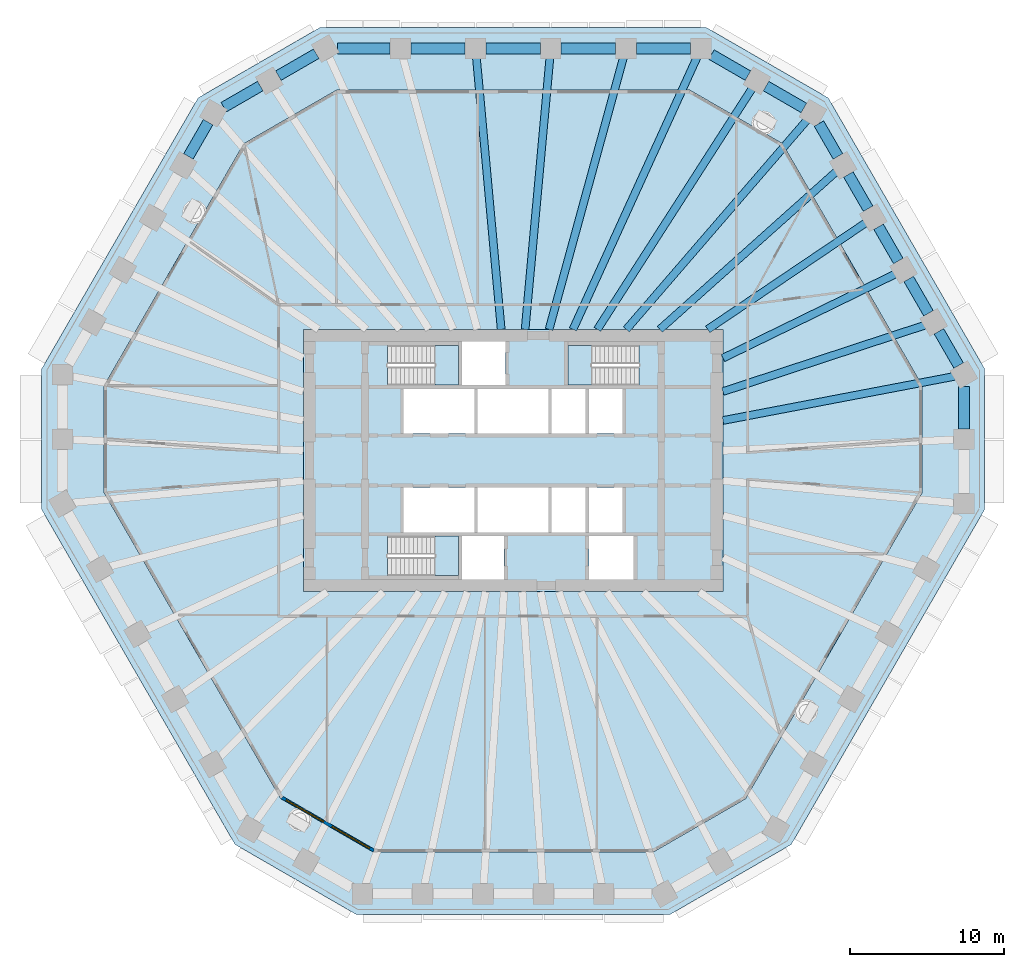
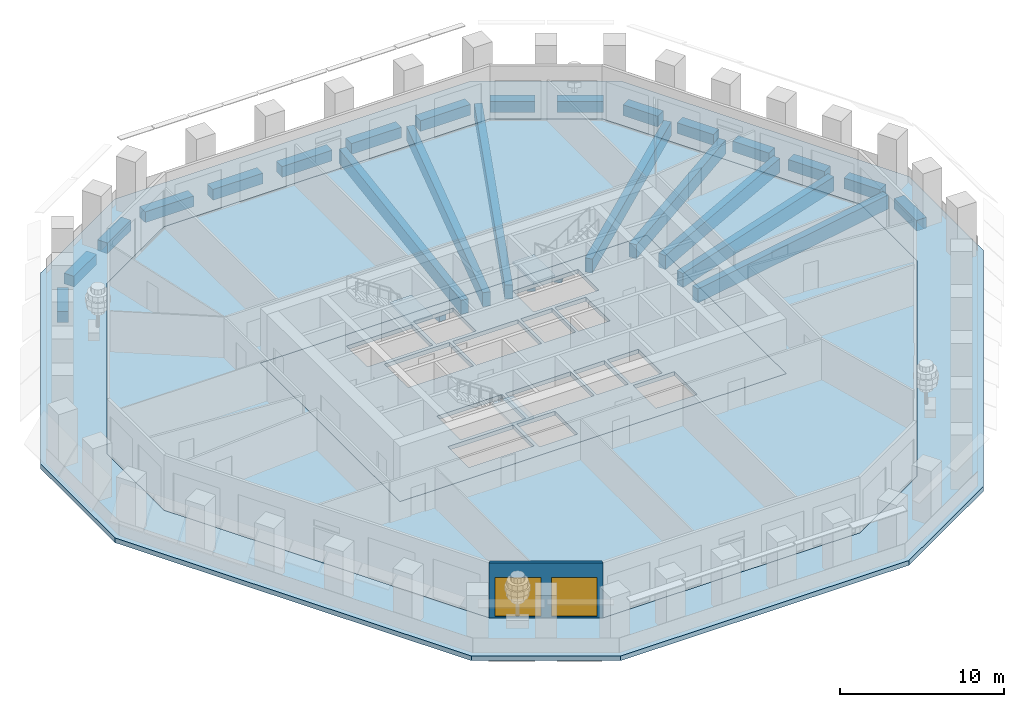
# One storey, part 2 of 12: 27 beams, 6 slabs, 2 windows, 1 wall, 2 openings, 3 elements without a shape of their own.
"""IFC4 building model written with IfcOpenShell, lengths in metres."""

from ifc_helpers import new_model, si_unit, direction, frame, frame_2d, origin, origin_2d, place, context, subcontext, project, spatial, polyline, rectangle, outline, extrude, material, layer, layer_set, material_profile, profile_set, type_object, element, fill, aggregate, save


model = new_model("IFC4")

# Units and contexts
model_context = context("Model", 3, precision=1e-05, world=origin(), true_north=direction((0.0, 1.0)))
body_context = subcontext(model_context, "Body", "Model", "MODEL_VIEW")
ifc_project = project(units=[si_unit("LENGTHUNIT", "METRE"), si_unit("AREAUNIT", "SQUARE_METRE"), si_unit("VOLUMEUNIT", "CUBIC_METRE"), si_unit("PLANEANGLEUNIT", "RADIAN"), si_unit("MASSUNIT", "GRAM", prefix="KILO")], contexts=[model_context])

# Site, building, storey
site_placement = place(None, origin())
site = spatial("IfcSite", under=ifc_project, at=site_placement, CompositionType="ELEMENT")
building_placement = place(site_placement, origin())
building = spatial("IfcBuilding", under=site, at=building_placement, Name="Frailejon Research Tower", CompositionType="ELEMENT")
storey_placement = place(building_placement, frame((0.0, 0.0, 130.800048828125)))
storey = spatial("IfcBuildingStorey", under=building, at=storey_placement, Name="L28", CompositionType="ELEMENT", Elevation=130.800048828125)

# Beams
ifc_material_1 = material(Name="Concrete C60/75", Category="concrete")
ifc_material_profile_1 = material_profile(ifc_material_1, rectangle(XDim=0.5, YDim=1.050048828125, at=origin_2d()), Name="Girder 500x1050")
ifc_profile_set_1 = profile_set([ifc_material_profile_1], Name="Concrete C60/75")
beam_type_1 = type_object("IfcBeamType", Name="Girder 500x1050", PredefinedType="BEAM", material=ifc_profile_set_1)
beam_1_placement = place(storey_placement, frame((28.65625, 5.464599609375, -0.824951171875), z_axis=(-0.982299508461, -0.187317045881, 0.0), x_axis=(0.187317045881, -0.982299508461, 0.0)))
element("IfcBeam", 1, at=beam_1_placement, inside=storey, type_object=beam_type_1, Name="Girder 500x1050", PredefinedType="BEAM", context=body_context, shape_type="SweptSolid", body=[
    extrude(rectangle(XDim=0.5, YDim=1.050048828125, at=origin_2d()), origin(), (0.0, 0.0, 1.0), 15.327392578125),
])
beam_2_placement = place(storey_placement, frame((26.7421875, 8.790283203125, -0.824951171875), z_axis=(-0.949989871685, -0.312280712975, 0.0), x_axis=(0.312280712975, -0.949989871685, 0.0)))
element("IfcBeam", 2, at=beam_2_placement, inside=storey, type_object=beam_type_1, Name="Girder 500x1050", PredefinedType="BEAM", context=body_context, shape_type="SweptSolid", body=[
    extrude(rectangle(XDim=0.5, YDim=1.050048828125, at=origin_2d()), origin(), (0.0, 0.0, 1.0), 13.833984375),
])
beam_3_placement = place(storey_placement, frame((24.8251953125, 12.1162109375, -0.824951171875), z_axis=(-0.898678258454, -0.438608467522, 0.0), x_axis=(0.438608467522, -0.898678258454, 0.0)))
element("IfcBeam", 3, at=beam_3_placement, inside=storey, type_object=beam_type_1, Name="Girder 500x1050", PredefinedType="BEAM", context=body_context, shape_type="SweptSolid", body=[
    extrude(rectangle(XDim=0.5, YDim=1.050048828125, at=origin_2d()), origin(), (0.0, 0.0, 1.0), 12.49072265625),
])
beam_4_placement = place(storey_placement, frame((22.905517578125, 15.441162109375, -0.824951171875), z_axis=(-0.829186990789, -0.558971317964, 0.0), x_axis=(0.558971317964, -0.829186990789, 0.0)))
element("IfcBeam", 4, at=beam_4_placement, inside=storey, type_object=beam_type_1, Name="Girder 500x1050", PredefinedType="BEAM", context=body_context, shape_type="SweptSolid", body=[
    extrude(rectangle(XDim=0.5, YDim=1.050048828125, at=origin_2d()), origin(), (0.0, 0.0, 1.0), 12.417724609375),
])
beam_5_placement = place(storey_placement, frame((20.983642578125, 18.764404296875, -0.824951171875), z_axis=(-0.745422911023, -0.666591841926, 0.0), x_axis=(0.666591841926, -0.745422911023, 0.0)))
element("IfcBeam", 5, at=beam_5_placement, inside=storey, type_object=beam_type_1, Name="Girder 500x1050", PredefinedType="BEAM", context=body_context, shape_type="SweptSolid", body=[
    extrude(rectangle(XDim=0.5, YDim=1.050048828125, at=origin_2d()), origin(), (0.0, 0.0, 1.0), 15.3984375),
])
beam_6_placement = place(storey_placement, frame((19.07861328125, 22.105712890625, -0.824951171875), z_axis=(-0.65337403375, -0.757035251505, 0.0), x_axis=(0.757035251505, -0.65337403375, 0.0)))
element("IfcBeam", 6, at=beam_6_placement, inside=storey, type_object=beam_type_1, Name="Girder 500x1050", PredefinedType="BEAM", context=body_context, shape_type="SweptSolid", body=[
    extrude(rectangle(XDim=0.5, YDim=1.050048828125, at=origin_2d()), origin(), (0.0, 0.0, 1.0), 17.972412109375),
])
beam_7_placement = place(storey_placement, frame((15.51904296875, 24.163818359375, -0.824951171875), z_axis=(-0.540394975615, -0.84141147504, 0.0), x_axis=(0.84141147504, -0.540394975615, 0.0)))
element("IfcBeam", 7, at=beam_7_placement, inside=storey, type_object=beam_type_1, Name="Girder 500x1050", PredefinedType="BEAM", context=body_context, shape_type="SweptSolid", body=[
    extrude(rectangle(XDim=0.5, YDim=1.050048828125, at=origin_2d()), origin(), (0.0, 0.0, 1.0), 18.6162109375),
])
beam_8_placement = place(storey_placement, frame((11.930908203125, 26.16162109375, -0.824951171875), z_axis=(-0.41493120596, -0.90985278717, 0.0), x_axis=(0.90985278717, -0.41493120596, 0.0)))
element("IfcBeam", 8, at=beam_8_placement, inside=storey, type_object=beam_type_1, Name="Girder 500x1050", PredefinedType="BEAM", context=body_context, shape_type="SweptSolid", body=[
    extrude(rectangle(XDim=0.5, YDim=1.050048828125, at=origin_2d()), origin(), (0.0, 0.0, 1.0), 19.41162109375),
])
beam_9_placement = place(storey_placement, frame((7.160888671875, 26.169677734375, -0.824951171875), z_axis=(-0.263940506276, -0.964538961964, 0.0), x_axis=(0.964538961964, -0.263940506276, 0.0)))
element("IfcBeam", 9, at=beam_9_placement, inside=storey, type_object=beam_type_1, Name="Girder 500x1050", PredefinedType="BEAM", context=body_context, shape_type="SweptSolid", body=[
    extrude(rectangle(XDim=0.5, YDim=1.050048828125, at=origin_2d()), origin(), (0.0, 0.0, 1.0), 18.3193359375),
])
for number, where, z_axis, x_axis, name in (
    (10, (2.387451171875, 26.17431640625, -0.824951171875), (-0.090832176828, -0.995866213732, 0.0), (0.995866213732, -0.090832176828, 0.0), "Girder 500x1050"),
    (11, (-2.387451171875, 26.17431640625, -0.824951171875), (0.090832176828, -0.995866213732, 0.0), (0.995866213732, 0.090832176828, 0.0), "Girder 500x1050"),
):
    element("IfcBeam", number, at=place(storey_placement, frame(where, z_axis=z_axis, x_axis=x_axis)), inside=storey, type_object=beam_type_1, Name=name, PredefinedType="BEAM", context=body_context, shape_type="SweptSolid", body=[
        extrude(rectangle(XDim=0.5, YDim=1.050048828125, at=origin_2d()), origin(), (0.0, 0.0, 1.0), 17.747802734375),
    ])
ifc_material_2 = material(Name="Concrete C60/75", Category="concrete")
ifc_material_profile_2 = material_profile(ifc_material_2, rectangle(XDim=0.699951171875, YDim=0.800048828125, at=origin_2d()), Name="Spandrel 700x800")
ifc_profile_set_2 = profile_set([ifc_material_profile_2], Name="Concrete C60/75")
beam_type_2 = type_object("IfcBeamType", Name="Spandrel 700x800", PredefinedType="BEAM", material=ifc_profile_set_2)
beam_10_placement = place(storey_placement, frame((29.211181640625, 2.057861328125, -0.75), z_axis=(0.0, 1.0, 0.0), x_axis=(-1.0, 0.0, 0.0)))
element("IfcBeam", 12, at=beam_10_placement, inside=storey, type_object=beam_type_2, Name="Spandrel 700x800", PredefinedType="BEAM", context=body_context, shape_type="SweptSolid", body=[
    extrude(rectangle(XDim=0.699951171875, YDim=0.800048828125, at=origin_2d()), origin(), (0.0, 0.0, 1.0), 2.733154296875),
])
beam_11_placement = place(storey_placement, frame((28.87353515625, 6.15478515625, -0.75), z_axis=(-0.499991857942, 0.866030104553, 0.0), x_axis=(-0.866030104553, -0.499991857942, 0.0)))
element("IfcBeam", 13, at=beam_11_placement, inside=storey, type_object=beam_type_2, Name="Spandrel 700x800", PredefinedType="BEAM", context=body_context, shape_type="SweptSolid", body=[
    extrude(rectangle(XDim=0.699951171875, YDim=0.800048828125, at=origin_2d()), origin(), (0.0, 0.0, 1.0), 2.5625),
])
beam_12_placement = place(storey_placement, frame((26.917236328125, 9.543212890625, -0.75), z_axis=(-0.499950606877, 0.866053919039, 0.0), x_axis=(-0.866053919039, -0.499950606877, 0.0)))
element("IfcBeam", 14, at=beam_12_placement, inside=storey, type_object=beam_type_2, Name="Spandrel 700x800", PredefinedType="BEAM", context=body_context, shape_type="SweptSolid", body=[
    extrude(rectangle(XDim=0.699951171875, YDim=0.800048828125, at=origin_2d()), origin(), (0.0, 0.0, 1.0), 2.562744140625),
])
for number, where, z_axis, x_axis, name in (
    (15, (24.9609375, 12.931884765625, -0.75), (-0.50003311468, 0.866006284171, 0.0), (-0.866006284171, -0.50003311468, 0.0), "Spandrel 700x800"),
    (16, (23.004638671875, 16.3203125, -0.75), (-0.50003311468, 0.866006284171, 0.0), (-0.866006284171, -0.50003311468, 0.0), "Spandrel 700x800"),
):
    element("IfcBeam", number, at=place(storey_placement, frame(where, z_axis=z_axis, x_axis=x_axis)), inside=storey, type_object=beam_type_2, Name=name, PredefinedType="BEAM", context=body_context, shape_type="SweptSolid", body=[
        extrude(rectangle(XDim=0.699951171875, YDim=0.800048828125, at=origin_2d()), origin(), (0.0, 0.0, 1.0), 2.562255859375),
    ])
beam_13_placement = place(storey_placement, frame((21.04833984375, 19.70849609375, -0.75), z_axis=(-0.499963176624, 0.866046662726, 0.0), x_axis=(-0.866046662726, -0.499963176624, 0.0)))
element("IfcBeam", 17, at=beam_13_placement, inside=storey, type_object=beam_type_2, Name="Spandrel 700x800", PredefinedType="BEAM", context=body_context, shape_type="SweptSolid", body=[
    extrude(rectangle(XDim=0.699951171875, YDim=0.800048828125, at=origin_2d()), origin(), (0.0, 0.0, 1.0), 2.458251953125),
])
beam_14_placement = place(storey_placement, frame((18.844970703125, 22.849853515625, -0.75), z_axis=(-0.865989280058, 0.500062562911, 0.0), x_axis=(-0.500062562911, -0.865989280058, 0.0)))
element("IfcBeam", 18, at=beam_14_placement, inside=storey, type_object=beam_type_2, Name="Spandrel 700x800", PredefinedType="BEAM", context=body_context, shape_type="SweptSolid", body=[
    extrude(rectangle(XDim=0.699951171875, YDim=0.800048828125, at=origin_2d()), origin(), (0.0, 0.0, 1.0), 2.837646484375),
])
beam_15_placement = place(storey_placement, frame((15.218505859375, 24.943603515625, -0.75), z_axis=(-0.866002615699, 0.500039468044, 0.0), x_axis=(-0.500039468044, -0.866002615699, 0.0)))
element("IfcBeam", 19, at=beam_15_placement, inside=storey, type_object=beam_type_2, Name="Spandrel 700x800", PredefinedType="BEAM", context=body_context, shape_type="SweptSolid", body=[
    extrude(rectangle(XDim=0.699951171875, YDim=0.800048828125, at=origin_2d()), origin(), (0.0, 0.0, 1.0), 2.733154296875),
])
for number, where, z_axis, x_axis, name in (
    (20, (11.50146484375, 26.699951171875, -0.75), (-1.0, 0.0, 0.0), (0.0, -1.0, 0.0), "Spandrel 700x800"),
    (21, (6.630859375, 26.699951171875, -0.75), (-1.0, 0.0, 0.0), (0.0, -1.0, 0.0), "Spandrel 700x800"),
    (22, (1.76025390625, 26.699951171875, -0.75), (-1.0, 0.0, 0.0), (0.0, -1.0, 0.0), "Spandrel 700x800"),
    (23, (-3.1103515625, 26.699951171875, -0.75), (-1.0, 0.0, 0.0), (0.0, -1.0, 0.0), "Spandrel 700x800"),
):
    element("IfcBeam", number, at=place(storey_placement, frame(where, z_axis=z_axis, x_axis=x_axis)), inside=storey, type_object=beam_type_2, Name=name, PredefinedType="BEAM", context=body_context, shape_type="SweptSolid", body=[
        extrude(rectangle(XDim=0.699951171875, YDim=0.800048828125, at=origin_2d()), origin(), (0.0, 0.0, 1.0), 3.5205078125),
    ])
beam_16_placement = place(storey_placement, frame((-7.98095703125, 26.699951171875, -0.75), z_axis=(-1.0, 0.0, 0.0), x_axis=(0.0, -1.0, 0.0)))
element("IfcBeam", 24, at=beam_16_placement, inside=storey, type_object=beam_type_2, Name="Spandrel 700x800", PredefinedType="BEAM", context=body_context, shape_type="SweptSolid", body=[
    extrude(rectangle(XDim=0.699951171875, YDim=0.800048828125, at=origin_2d()), origin(), (0.0, 0.0, 1.0), 3.416259765625),
])
beam_17_placement = place(storey_placement, frame((-12.760986328125, 26.362548828125, -0.75), z_axis=(-0.866010792954, -0.500025305846, 0.0), x_axis=(0.500025305846, -0.866010792954, 0.0)))
element("IfcBeam", 25, at=beam_17_placement, inside=storey, type_object=beam_type_2, Name="Spandrel 700x800", PredefinedType="BEAM", context=body_context, shape_type="SweptSolid", body=[
    extrude(rectangle(XDim=0.699951171875, YDim=0.800048828125, at=origin_2d()), origin(), (0.0, 0.0, 1.0), 2.837646484375),
])
beam_18_placement = place(storey_placement, frame((-16.3876953125, 24.268798828125, -0.75), z_axis=(-0.866002615699, -0.500039468044, 0.0), x_axis=(0.500039468044, -0.866002615699, 0.0)))
element("IfcBeam", 26, at=beam_18_placement, inside=storey, type_object=beam_type_2, Name="Spandrel 700x800", PredefinedType="BEAM", context=body_context, shape_type="SweptSolid", body=[
    extrude(rectangle(XDim=0.699951171875, YDim=0.800048828125, at=origin_2d()), origin(), (0.0, 0.0, 1.0), 2.733154296875),
])
beam_19_placement = place(storey_placement, frame((-19.76708984375, 21.927734375, -0.75), z_axis=(-0.499991857942, -0.866030104553, 0.0), x_axis=(0.866030104553, -0.499991857942, 0.0)))
element("IfcBeam", 27, at=beam_19_placement, inside=storey, type_object=beam_type_2, Name="Spandrel 700x800", PredefinedType="BEAM", context=body_context, shape_type="SweptSolid", body=[
    extrude(rectangle(XDim=0.699951171875, YDim=0.800048828125, at=origin_2d()), origin(), (0.0, 0.0, 1.0), 2.5625),
])

# Slabs
ifc_material_3 = material(Name="Concrete C60/75", Category="concrete")
ifc_layer_1 = layer(ifc_material_3, 0.300048828125)
ifc_layer_set_1 = layer_set([ifc_layer_1], Name="Core floor slab 300 C60/75")
slab_type_1 = type_object("IfcSlabType", Name="Core floor slab 300 C60/75", PredefinedType="FLOOR", material=ifc_layer_set_1)
slab_1_placement = place(storey_placement, frame((0.0, 0.0, -0.300048828125)))
element("IfcSlab", 28, at=slab_1_placement, inside=storey, type_object=slab_type_1, Name="Core floor slab", PredefinedType="FLOOR", context=body_context, shape_type="SweptSolid", body=[
    extrude(outline(polyline([(13.60009765625, -8.5), (13.60009765625, 8.5), (-13.60009765625, 8.5), (-13.60009765625, -8.5), (13.60009765625, -8.5)]), holes=[polyline([(-2.5, 1.75), (-2.5, 4.64990234375), (-7.10009765625, 4.64990234375), (-7.10009765625, 1.75), (-2.5, 1.75)]), polyline([(2.300048828125, 1.75), (2.300048828125, 4.64990234375), (-2.300048828125, 4.64990234375), (-2.300048828125, 1.75), (2.300048828125, 1.75)]), polyline([(4.699951171875, 1.75), (4.699951171875, 4.64990234375), (2.5, 4.64990234375), (2.5, 1.75), (4.699951171875, 1.75)]), polyline([(7.10009765625, 1.75), (7.10009765625, 4.64990234375), (4.89990234375, 4.64990234375), (4.89990234375, 1.75), (7.10009765625, 1.75)]), polyline([(-2.5, -4.64990234375), (-2.5, -1.75), (-7.10009765625, -1.75), (-7.10009765625, -4.64990234375), (-2.5, -4.64990234375)]), polyline([(2.300048828125, -4.64990234375), (2.300048828125, -1.75), (-2.300048828125, -1.75), (-2.300048828125, -4.64990234375), (2.300048828125, -4.64990234375)]), polyline([(4.699951171875, -4.64990234375), (4.699951171875, -1.75), (2.5, -1.75), (2.5, -4.64990234375), (4.699951171875, -4.64990234375)]), polyline([(7.10009765625, -4.64990234375), (7.10009765625, -1.75), (4.89990234375, -1.75), (4.89990234375, -4.64990234375), (7.10009765625, -4.64990234375)]), polyline([(-8.14697265625, 4.89990234375), (-3.550048828125, 4.89990234375), (-3.550048828125, 7.449951171875), (-8.14697265625, 7.449951171875), (-8.14697265625, 4.89990234375)]), polyline([(-8.14697265625, -7.449951171875), (-3.550048828125, -7.449951171875), (-3.550048828125, -4.89990234375), (-8.14697265625, -4.89990234375), (-8.14697265625, -7.449951171875)]), polyline([(8.14697265625, 7.449951171875), (3.550048828125, 7.449951171875), (3.550048828125, 4.89990234375), (8.14697265625, 4.89990234375), (8.14697265625, 7.449951171875)]), polyline([(-0.60009765625, -7.699951171875), (-0.60009765625, -4.89990234375), (-3.300048828125, -4.89990234375), (-3.300048828125, -7.699951171875), (-0.60009765625, -7.699951171875)]), polyline([(7.800048828125, -7.699951171875), (7.800048828125, -4.89990234375), (4.89990234375, -4.89990234375), (4.89990234375, -7.699951171875), (7.800048828125, -7.699951171875)]), polyline([(-0.5, 4.89990234375), (-0.5, 7.699951171875), (-3.300048828125, 7.699951171875), (-3.300048828125, 4.89990234375), (-0.5, 4.89990234375)])]), origin(), (0.0, 0.0, 1.0), 0.300048828125),
])
ifc_material_4 = material(Name="Concrete C40/50", Category="concrete")
ifc_layer_2 = layer(ifc_material_4, 0.35009765625)
ifc_layer_set_2 = layer_set([ifc_layer_2], Name="Loggia slab 350")
slab_type_2 = type_object("IfcSlabType", Name="Loggia slab 350", PredefinedType="USERDEFINED", material=ifc_layer_set_2)
slab_2_placement = place(storey_placement, frame((0.0, 0.0, -0.35009765625)))
element("IfcSlab", 29, at=slab_2_placement, inside=storey, type_object=slab_type_2, Name="Loggia slab L28", ObjectType="LOGGIA", PredefinedType="USERDEFINED", context=body_context, shape_type="SweptSolid", body=[
    extrude(outline(polyline([(18.02294921875, -24.883544921875), (10.143310546875, -29.432861328125), (-10.143310546875, -29.432861328125), (-18.02294921875, -24.883544921875), (-30.56103515625, -3.16650390625), (-30.56103515625, 5.93212890625), (-20.41796875, 23.500732421875), (-12.538330078125, 28.050048828125), (12.538330078125, 28.050048828125), (20.41796875, 23.500732421875), (30.56103515625, 5.93212890625), (30.56103515625, -3.16650390625), (18.02294921875, -24.883544921875)]), holes=[polyline([(26.510986328125, 4.846923828125), (17.453125, 20.535888671875), (11.453125, 24.0), (-11.453125, 24.0), (-17.453125, 20.535888671875), (-26.510986328125, 4.846923828125), (-26.510986328125, -2.081298828125), (-15.05810546875, -21.918701171875), (-9.05810546875, -25.3828125), (9.05810546875, -25.3828125), (15.05810546875, -21.918701171875), (26.510986328125, -2.081298828125), (26.510986328125, 4.846923828125)])]), origin(), (0.0, 0.0, 1.0), 0.35009765625),
])
ifc_material_5 = material(Name="Concrete C40/50", Category="concrete")
ifc_layer_3 = layer(ifc_material_5, 0.300048828125)
ifc_layer_set_3 = layer_set([ifc_layer_3], Name="Slab typical 300")
slab_type_3 = type_object("IfcSlabType", Name="Slab typical 300", PredefinedType="FLOOR", material=ifc_layer_set_3)
slab_3_placement = place(storey_placement, frame((0.0, 0.0, -0.300048828125)))
element("IfcSlab", 30, at=slab_3_placement, inside=storey, type_object=slab_type_3, Name="Floor slab L28", PredefinedType="FLOOR", context=body_context, shape_type="SweptSolid", body=[
    extrude(outline(polyline([(26.510986328125, -2.081298828125), (26.510986328125, 4.846923828125), (17.453125, 20.535888671875), (11.453125, 24.0), (-11.453125, 24.0), (-17.453125, 20.535888671875), (-26.510986328125, 4.846923828125), (-26.510986328125, -2.081298828125), (-15.05810546875, -21.918701171875), (-9.05810546875, -25.3828125), (9.05810546875, -25.3828125), (15.05810546875, -21.918701171875), (26.510986328125, -2.081298828125)]), holes=[polyline([(13.60009765625, -8.5), (-13.60009765625, -8.5), (-13.60009765625, 8.5), (13.60009765625, 8.5), (13.60009765625, -8.5)])]), origin(), (0.0, 0.0, 1.0), 0.300048828125),
])

# Stair, slab
ifc_material_6 = material(Name="Concrete C50/60", Category="concrete")
stair_type = type_object("IfcStairType", Name="Exit stair 24 risers", PredefinedType="HALF_TURN_STAIR", material=ifc_material_6)
stair_1_placement = place(storey_placement, origin())
stair_1 = element("IfcStair", 31, at=stair_1_placement, inside=storey, type_object=stair_type, Name="L28 Exit stair ST1", PredefinedType="HALF_TURN_STAIR")
ifc_material_7 = material(Name="Concrete C50/60", Category="concrete")
ifc_layer_4 = layer(ifc_material_7, 0.199951171875)
ifc_layer_set_4 = layer_set([ifc_layer_4], Name="Stair landing slab 200")
slab_type_4 = type_object("IfcSlabType", Name="Stair landing slab 200", PredefinedType="LANDING", material=ifc_layer_set_4)
slab_4_placement = place(storey_placement, frame((0.0, 0.0, 2.0)))
slab_4 = element("IfcSlab", 32, at=slab_4_placement, type_object=slab_type_4, Name="ST1 landing 1", PredefinedType="LANDING", context=body_context, shape_type="SweptSolid", body=[
    extrude(outline(polyline([(-5.070068359375, 4.89990234375), (-3.550048828125, 4.89990234375), (-3.550048828125, 7.449951171875), (-5.070068359375, 7.449951171875), (-5.070068359375, 4.89990234375)])), origin(), (0.0, 0.0, 1.0), 0.199951171875),
])
aggregate(stair_1, [slab_4])

stair_2_placement = place(storey_placement, origin())
stair_2 = element("IfcStair", 33, at=stair_2_placement, inside=storey, type_object=stair_type, Name="L28 Exit stair ST2", PredefinedType="HALF_TURN_STAIR")
slab_5_placement = place(storey_placement, frame((0.0, 0.0, 2.0)))
slab_5 = element("IfcSlab", 34, at=slab_5_placement, type_object=slab_type_4, Name="ST2 landing 1", PredefinedType="LANDING", context=body_context, shape_type="SweptSolid", body=[
    extrude(outline(polyline([(-5.070068359375, -7.449951171875), (-3.550048828125, -7.449951171875), (-3.550048828125, -4.89990234375), (-5.070068359375, -4.89990234375), (-5.070068359375, -7.449951171875)])), origin(), (0.0, 0.0, 1.0), 0.199951171875),
])
aggregate(stair_2, [slab_5])

stair_3_placement = place(storey_placement, origin())
stair_3 = element("IfcStair", 35, at=stair_3_placement, inside=storey, type_object=stair_type, Name="L28 Exit stair ST3", PredefinedType="HALF_TURN_STAIR")
slab_6_placement = place(storey_placement, frame((0.0, 0.0, 2.0)))
slab_6 = element("IfcSlab", 36, at=slab_6_placement, type_object=slab_type_4, Name="ST3 landing 1", PredefinedType="LANDING", context=body_context, shape_type="SweptSolid", body=[
    extrude(outline(polyline([(5.070068359375, 7.449951171875), (3.550048828125, 7.449951171875), (3.550048828125, 4.89990234375), (5.070068359375, 4.89990234375), (5.070068359375, 7.449951171875)])), origin(), (0.0, 0.0, 1.0), 0.199951171875),
])
aggregate(stair_3, [slab_6])

# Wall, openings, windows
ifc_material_8 = material(Name="Concrete C40/50 precast window wall panel", Category="concrete")
ifc_layer_5 = layer(ifc_material_8, 0.199951171875)
ifc_layer_set_5 = layer_set([ifc_layer_5], Name="Window wall 200")
wall_type = type_object("IfcWallType", Name="Window wall 200", PredefinedType="SOLIDWALL", material=ifc_layer_set_5)
wall_placement = place(storey_placement, frame((-14.98486328125, -21.845458984375, 0.0), z_axis=(0.0, 0.0, 1.0), x_axis=(0.866029458321, -0.49999297727, 0.0)))
wall = element("IfcWall", 37, at=wall_placement, inside=storey, type_object=wall_type, Name="Exterior wall L28", PredefinedType="SOLIDWALL", context=body_context, shape_type="SweptSolid", body=[
    extrude(outline(polyline([(-0.02685546875, -0.10009765625), (1.1279296875, -0.10009765625), (2.282470703125, -0.10009765625), (3.437255859375, -0.10009765625), (4.592041015625, -0.10009765625), (5.74658203125, -0.10009765625), (6.9013671875, -0.10009765625), (6.84765625, 0.10009765625), (5.7109375, 0.10009765625), (4.573974609375, 0.10009765625), (3.437255859375, 0.10009765625), (2.300537109375, 0.10009765625), (1.16357421875, 0.10009765625), (0.02685546875, 0.10009765625), (-0.02685546875, -0.10009765625)])), origin(), (0.0, 0.0, 1.0), 4.099853515625),
])
opening_1_placement = place(wall_placement, frame((0.318603515625, 0.0, 0.10009765625)))
opening_1 = element("IfcOpeningElement", 38, at=opening_1_placement, cuts=wall, Name="Opening W3", PredefinedType="OPENING", context=body_context, shape_type="SweptSolid", body=[
    extrude(rectangle(XDim=2.800048828125, YDim=2.89990234375, at=frame_2d((1.39990234375, 1.449951171875))), frame((0.0, 0.10986328125, 0.0), z_axis=(0.0, -1.0, 0.0), x_axis=(1.0, 0.0, 0.0)), (0.0, 0.0, 1.0), 0.219970703125),
])
opening_2_placement = place(wall_placement, frame((3.756103515625, 0.0, 0.10009765625)))
opening_2 = element("IfcOpeningElement", 39, at=opening_2_placement, cuts=wall, Name="Opening W3", PredefinedType="OPENING", context=body_context, shape_type="SweptSolid", body=[
    extrude(rectangle(XDim=2.800048828125, YDim=2.89990234375, at=frame_2d((1.39990234375, 1.449951171875))), frame((0.0, 0.10986328125, 0.0), z_axis=(0.0, -1.0, 0.0), x_axis=(1.0, 0.0, 0.0)), (0.0, 0.0, 1.0), 0.219970703125),
])
ifc_material_9 = material(Name="Aluminium framed double glazing", Category="aluminium")
window_type = type_object("IfcWindowType", Name="Window 2800x2900", PartitioningType="SINGLE_PANEL", PredefinedType="WINDOW", material=ifc_material_9)
window_1_placement = place(opening_1_placement, origin())
window_1 = element("IfcWindow", 40, at=window_1_placement, inside=storey, type_object=window_type, Name="Window L28", OverallHeight=2.89990234375, OverallWidth=2.800048828125, PartitioningType="SINGLE_PANEL", PredefinedType="WINDOW", context=body_context, shape_type="SweptSolid", body=[
    extrude(rectangle(XDim=2.800048828125, YDim=2.89990234375, at=frame_2d((1.39990234375, 1.449951171875))), frame((0.0, 0.030029296875, 0.0), z_axis=(0.0, -1.0, 0.0), x_axis=(1.0, 0.0, 0.0)), (0.0, 0.0, 1.0), 0.06005859375),
])
fill(opening_1, window_1)
window_2_placement = place(opening_2_placement, origin())
window_2 = element("IfcWindow", 41, at=window_2_placement, inside=storey, type_object=window_type, Name="Window L28", OverallHeight=2.89990234375, OverallWidth=2.800048828125, PartitioningType="SINGLE_PANEL", PredefinedType="WINDOW", context=body_context, shape_type="SweptSolid", body=[
    extrude(rectangle(XDim=2.800048828125, YDim=2.89990234375, at=frame_2d((1.39990234375, 1.449951171875))), frame((0.0, 0.030029296875, 0.0), z_axis=(0.0, -1.0, 0.0), x_axis=(1.0, 0.0, 0.0)), (0.0, 0.0, 1.0), 0.06005859375),
])
fill(opening_2, window_2)

save(model, "model.ifc")
